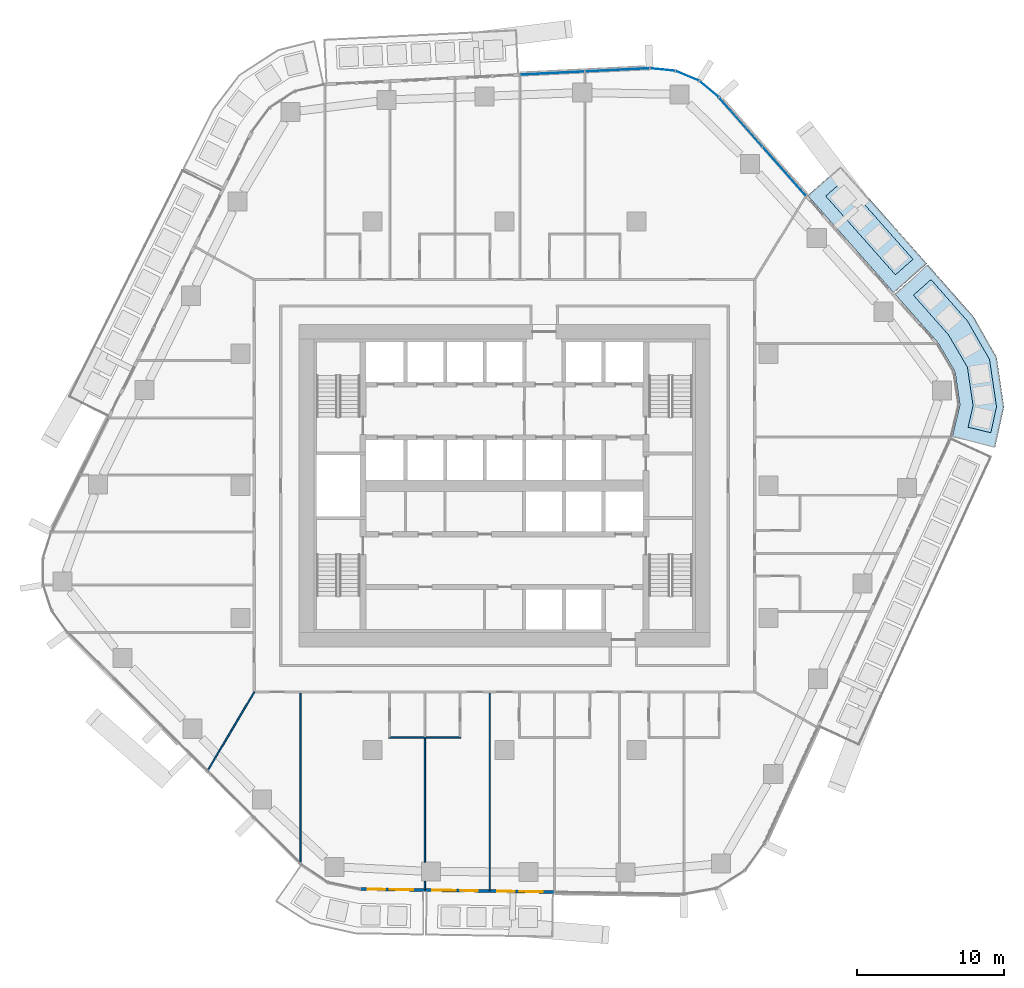
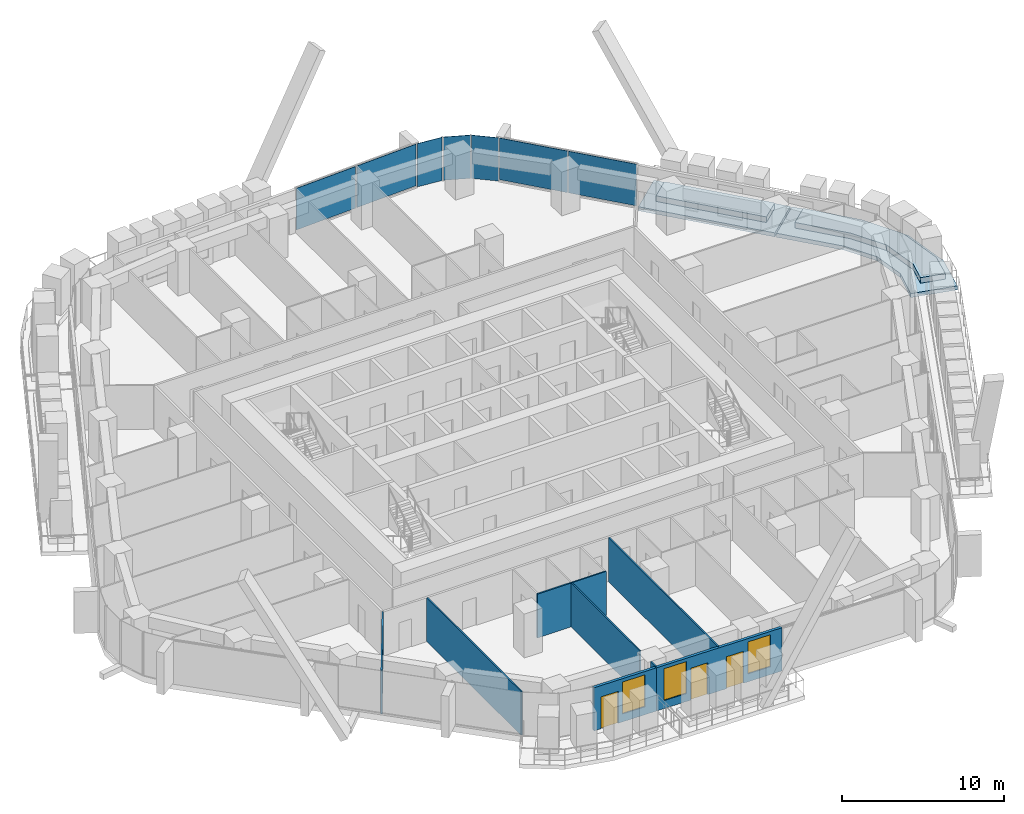
# One storey, part 11 of 25: 8 walls, 7 plates, 4 slabs, 3 doors, 3 windows, 6 openings, 3 elements without a shape of their own.
"""IFC4 building model written with IfcOpenShell, lengths in metres."""

from ifc_helpers import new_model, si_unit, direction, frame, frame_2d, origin, origin_2d, place, context, subcontext, project, spatial, polyline, rectangle, outline, extrude, material, layer, layer_set, type_object, element, fill, aggregate, save


model = new_model("IFC4")

# Units and contexts
model_context = context("Model", 3, precision=1e-05, world=origin(), true_north=direction((0.0, 1.0)))
body_context = subcontext(model_context, "Body", "Model", "MODEL_VIEW")
ifc_project = project(units=[si_unit("LENGTHUNIT", "METRE"), si_unit("AREAUNIT", "SQUARE_METRE"), si_unit("VOLUMEUNIT", "CUBIC_METRE"), si_unit("PLANEANGLEUNIT", "RADIAN"), si_unit("MASSUNIT", "GRAM", prefix="KILO")], contexts=[model_context])

# Site, building, storey
site_placement = place(None, origin())
site = spatial("IfcSite", under=ifc_project, at=site_placement, CompositionType="ELEMENT")
building_placement = place(site_placement, origin())
building = spatial("IfcBuilding", under=site, at=building_placement, Name="Dongbaek Canopy Tower", CompositionType="ELEMENT")
storey_placement = place(building_placement, frame((0.0, 0.0, 102.60009765625)))
storey = spatial("IfcBuildingStorey", under=building, at=storey_placement, Name="L21", CompositionType="ELEMENT", Elevation=102.60009765625)

# Slabs
ifc_material_1 = material(Name="Concrete C40/50", Category="concrete")
ifc_layer_1 = layer(ifc_material_1, 0.300048828125)
ifc_layer_set_1 = layer_set([ifc_layer_1], Name="Balcony slab 300")
slab_type_1 = type_object("IfcSlabType", Name="Balcony slab 300", PredefinedType="FLOOR", material=ifc_layer_set_1)
slab_1_placement = place(storey_placement, frame((0.0, 0.0, -0.300048828125)))
element("IfcSlab", 1, at=slab_1_placement, inside=storey, type_object=slab_type_1, Name="Balcony L21 1", PredefinedType="FLOOR", context=body_context, shape_type="SweptSolid", body=[
    extrude(outline(polyline([(26.536865234375, 13.150146484375), (20.661376953125, 19.787109375), (22.907470703125, 21.775634765625), (28.783203125, 15.138671875), (26.536865234375, 13.150146484375)])), origin(), (0.0, 0.0, 1.0), 0.300048828125),
])
slab_2_placement = place(storey_placement, frame((0.0, 0.0, -0.300048828125)))
element("IfcSlab", 2, at=slab_2_placement, inside=storey, type_object=slab_type_1, Name="Balcony L21 6", PredefinedType="FLOOR", context=body_context, shape_type="SweptSolid", body=[
    extrude(outline(polyline([(30.51318359375, 3.32568359375), (31.042236328125, 5.508056640625), (30.70556640625, 7.77880859375), (29.541015625, 9.7568359375), (26.603271484375, 13.075439453125), (28.849365234375, 15.06396484375), (31.9677734375, 11.5205078125), (33.5341796875, 8.7783203125), (34.039306640625, 5.3720703125), (33.428955078125, 2.618896484375), (30.51318359375, 3.32568359375)])), origin(), (0.0, 0.0, 1.0), 0.300048828125),
])

# Curtain wall, plates
ifc_material_2 = material(Name="Aluminium 6063-T6 pale anodised", Category="aluminium")
ifc_layer_2 = layer(ifc_material_2, 0.199951171875)
ifc_layer_set_2 = layer_set([ifc_layer_2], Name="CW-1 unitised tower curtain wall")
curtain_wall_type = type_object("IfcCurtainWallType", Name="CW-1 unitised tower curtain wall", PredefinedType="NOTDEFINED", material=ifc_layer_set_2)
curtain_wall_1_placement = place(storey_placement, origin())
curtain_wall_1 = element("IfcCurtainWall", 3, at=curtain_wall_1_placement, inside=storey, type_object=curtain_wall_type, Name="CW-1 curtain wall F0.1", PredefinedType="NOTDEFINED")
ifc_material_3 = material(Name="Clear laminated glass", Category="glass")
ifc_layer_3 = layer(ifc_material_3, 0.028076171875)
ifc_layer_set_3 = layer_set([ifc_layer_3], Name="CW-1 glazed panel 28")
plate_type = type_object("IfcPlateType", Name="CW-1 glazed panel 28", PredefinedType="CURTAIN_PANEL", material=ifc_layer_set_3)
plate_1_placement = place(storey_placement, frame((19.06787109375, 21.436279296875, 0.119873046875), z_axis=(0.0, 0.0, 1.0), x_axis=(-0.662853899547, 0.748748761505, 0.0)))
plate_1 = element("IfcPlate", 4, at=plate_1_placement, type_object=plate_type, Name="CW-1 panel F0.1.1.1", PredefinedType="CURTAIN_PANEL", context=body_context, shape_type="SweptSolid", body=[
    extrude(rectangle(XDim=4.39794921875, YDim=0.028076171875, at=origin_2d()), origin(), (0.0, 0.0, 1.0), 3.1298828125),
])
plate_2_placement = place(storey_placement, frame((16.099365234375, 24.789306640625, 0.119873046875), z_axis=(0.0, 0.0, 1.0), x_axis=(-0.662853899547, 0.748748761505, 0.0)))
plate_2 = element("IfcPlate", 5, at=plate_2_placement, type_object=plate_type, Name="CW-1 panel F0.1.2.1", PredefinedType="CURTAIN_PANEL", context=body_context, shape_type="SweptSolid", body=[
    extrude(rectangle(XDim=4.390625, YDim=0.028076171875, at=origin_2d()), origin(), (0.0, 0.0, 1.0), 3.1298828125),
])
aggregate(curtain_wall_1, [plate_1, plate_2])

curtain_wall_2_placement = place(storey_placement, origin())
curtain_wall_2 = element("IfcCurtainWall", 6, at=curtain_wall_2_placement, inside=storey, type_object=curtain_wall_type, Name="CW-1 curtain wall K1.1", PredefinedType="NOTDEFINED")
plate_3_placement = place(storey_placement, frame((13.940673828125, 27.030029296875, 0.0), z_axis=(0.0, 0.0, 1.0), x_axis=(-0.76684589124, 0.641831269952, 0.0)))
plate_3 = element("IfcPlate", 7, at=plate_3_placement, type_object=plate_type, Name="CW-1 panel K1.1.1.1", PredefinedType="CURTAIN_PANEL", context=body_context, shape_type="SweptSolid", body=[
    extrude(rectangle(XDim=1.67822265625, YDim=0.028076171875, at=origin_2d()), origin(), (0.0, 0.0, 1.0), 3.25),
])
plate_4_placement = place(storey_placement, frame((12.456298828125, 27.935791015625, 0.0), z_axis=(0.0, 0.0, 1.0), x_axis=(-0.9217189561, 0.38785843547, 0.0)))
plate_4 = element("IfcPlate", 8, at=plate_4_placement, type_object=plate_type, Name="CW-1 panel K1.1.2.1", PredefinedType="CURTAIN_PANEL", context=body_context, shape_type="SweptSolid", body=[
    extrude(rectangle(XDim=1.670654296875, YDim=0.028076171875, at=origin_2d()), origin(), (0.0, 0.0, 1.0), 3.25),
])
plate_5_placement = place(storey_placement, frame((10.77099609375, 28.36376953125, 0.0), z_axis=(0.0, 0.0, 1.0), x_axis=(-0.995031076678, 0.099564835385, 0.0)))
plate_5 = element("IfcPlate", 9, at=plate_5_placement, type_object=plate_type, Name="CW-1 panel K1.1.3.1", PredefinedType="CURTAIN_PANEL", context=body_context, shape_type="SweptSolid", body=[
    extrude(rectangle(XDim=1.67822265625, YDim=0.028076171875, at=origin_2d()), origin(), (0.0, 0.0, 1.0), 3.25),
])
aggregate(curtain_wall_2, [plate_3, plate_4, plate_5])

curtain_wall_3_placement = place(storey_placement, origin())
curtain_wall_3 = element("IfcCurtainWall", 10, at=curtain_wall_3_placement, inside=storey, type_object=curtain_wall_type, Name="CW-1 curtain wall F1.1", PredefinedType="NOTDEFINED")
plate_6_placement = place(storey_placement, frame((7.68310546875, 28.342041015625, 0.119873046875), z_axis=(0.0, 0.0, 1.0), x_axis=(-0.998772234165, -0.049538109177, 0.0)))
plate_6 = element("IfcPlate", 11, at=plate_6_placement, type_object=plate_type, Name="CW-1 panel F1.1.1.1", PredefinedType="CURTAIN_PANEL", context=body_context, shape_type="SweptSolid", body=[
    extrude(rectangle(XDim=4.34375, YDim=0.028076171875, at=origin_2d()), origin(), (0.0, 0.0, 1.0), 3.1298828125),
])
plate_7_placement = place(storey_placement, frame((3.257080078125, 28.122314453125, 0.119873046875), z_axis=(0.0, 0.0, 1.0), x_axis=(-0.998772234165, -0.049538109177, 0.0)))
plate_7 = element("IfcPlate", 12, at=plate_7_placement, type_object=plate_type, Name="CW-1 panel F1.1.2.1", PredefinedType="CURTAIN_PANEL", context=body_context, shape_type="SweptSolid", body=[
    extrude(rectangle(XDim=4.35107421875, YDim=0.028076171875, at=origin_2d()), origin(), (0.0, 0.0, 1.0), 3.1298828125),
])
aggregate(curtain_wall_3, [plate_6, plate_7])

# Slabs
ifc_material_4 = material(Name="Reinforced concrete C40/50 planter box with soil", Category="concrete")
ifc_layer_4 = layer(ifc_material_4, 0.419921875)
ifc_layer_set_4 = layer_set([ifc_layer_4], Name="Terrace planter box 1600 x 420")
slab_type_2 = type_object("IfcSlabType", Name="Terrace planter box 1600 x 420", PredefinedType="USERDEFINED", material=ifc_layer_set_4)
slab_3_placement = place(storey_placement, origin())
element("IfcSlab", 13, at=slab_3_placement, inside=storey, type_object=slab_type_2, Name="Balcony planter L21 1", ObjectType="PLANTER", PredefinedType="USERDEFINED", context=body_context, shape_type="SweptSolid", body=[
    extrude(outline(polyline([(26.639892578125, 14.376708984375), (21.89111328125, 19.74072265625), (23.089111328125, 20.80126953125), (27.837890625, 15.437255859375), (26.639892578125, 14.376708984375)])), origin(), (0.0, 0.0, 1.0), 0.419921875),
])
slab_4_placement = place(storey_placement, origin())
element("IfcSlab", 14, at=slab_4_placement, inside=storey, type_object=slab_type_2, Name="Balcony planter L21 6", ObjectType="PLANTER", PredefinedType="USERDEFINED", context=body_context, shape_type="SweptSolid", body=[
    extrude(outline(polyline([(31.59033203125, 3.99072265625), (31.931396484375, 5.4677734375), (31.544677734375, 8.0751953125), (30.260986328125, 10.280029296875), (27.8662109375, 12.991455078125), (29.064208984375, 14.052001953125), (31.55517578125, 11.220703125), (33.053466796875, 8.6083984375), (33.52978515625, 5.395263671875), (33.145263671875, 3.61376953125), (31.59033203125, 3.99072265625)])), origin(), (0.0, 0.0, 1.0), 0.419921875),
])

# Walls
ifc_material_5 = material(Name="Gypsum board partition, steel stud, 2 x 12.5 mm board", Category="steel")
ifc_layer_5 = layer(ifc_material_5, 0.10009765625)
ifc_layer_set_5 = layer_set([ifc_layer_5], Name="Partition 100 gypsum board")
wall_type_1 = type_object("IfcWallType", Name="Partition 100 gypsum board", PredefinedType="PARTITIONING", material=ifc_layer_set_5)
wall_1_placement = place(storey_placement, frame((-7.873779296875, -17.14990234375, 0.0), z_axis=(0.0, 0.0, 1.0), x_axis=(1.0, 0.0, 0.0)))
element("IfcWall", 15, at=wall_1_placement, inside=storey, type_object=wall_type_1, Name="Partition", PredefinedType="PARTITIONING", context=body_context, shape_type="SweptSolid", body=[
    extrude(rectangle(XDim=4.900146484375, YDim=0.10009765625, at=frame_2d((2.4501953125, 0.0))), origin(), (0.0, 0.0, 1.0), 3.2998046875),
])
wall_2_placement = place(storey_placement, frame((-20.24609375, -19.436279296875, 0.0), z_axis=(0.0, 0.0, 1.0), x_axis=(0.510253226363, 0.86002421186, 0.0)))
element("IfcWall", 16, at=wall_2_placement, inside=storey, type_object=wall_type_1, Name="Partition", PredefinedType="PARTITIONING", context=body_context, shape_type="SweptSolid", body=[
    extrude(rectangle(XDim=6.26318359375, YDim=0.10009765625, at=frame_2d((3.131591796875, 0.0))), origin(), (0.0, 0.0, 1.0), 3.2998046875),
])
wall_3_placement = place(storey_placement, frame((-1.007080078125, -27.596923828125, 0.0), z_axis=(0.0, 0.0, 1.0), x_axis=(0.0, 1.0, 0.0)))
element("IfcWall", 17, at=wall_3_placement, inside=storey, type_object=wall_type_1, Name="Partition", PredefinedType="PARTITIONING", context=body_context, shape_type="SweptSolid", body=[
    extrude(rectangle(XDim=13.471923828125, YDim=0.10009765625, at=frame_2d((6.73583984375, 0.0))), origin(), (0.0, 0.0, 1.0), 3.2998046875),
])
wall_4_placement = place(storey_placement, frame((-5.424072265625, -27.52880859375, 0.0), z_axis=(0.0, 0.0, 1.0), x_axis=(0.0, 1.0, 0.0)))
element("IfcWall", 18, at=wall_4_placement, inside=storey, type_object=wall_type_1, Name="Partition", PredefinedType="PARTITIONING", context=body_context, shape_type="SweptSolid", body=[
    extrude(rectangle(XDim=0.5888671875, YDim=0.10009765625, at=frame_2d((0.29443359375, 0.0))), origin(), (0.0, 0.0, 1.0), 3.2998046875),
])
wall_5_placement = place(storey_placement, frame((-5.424072265625, -25.639892578125, 0.0), z_axis=(0.0, 0.0, 1.0), x_axis=(0.0, 1.0, 0.0)))
element("IfcWall", 19, at=wall_5_placement, inside=storey, type_object=wall_type_1, Name="Partition", PredefinedType="PARTITIONING", context=body_context, shape_type="SweptSolid", body=[
    extrude(rectangle(XDim=8.43994140625, YDim=0.10009765625, at=frame_2d((4.219970703125, 0.0))), origin(), (0.0, 0.0, 1.0), 3.2998046875),
])
wall_6_placement = place(storey_placement, frame((-13.916015625, -25.72998046875, 0.0), z_axis=(0.0, 0.0, 1.0), x_axis=(0.0, 1.0, 0.0)))
element("IfcWall", 20, at=wall_6_placement, inside=storey, type_object=wall_type_1, Name="Partition", PredefinedType="PARTITIONING", context=body_context, shape_type="SweptSolid", body=[
    extrude(rectangle(XDim=11.60498046875, YDim=0.10009765625, at=frame_2d((5.802490234375, 0.0))), origin(), (0.0, 0.0, 1.0), 3.2998046875),
])

# Wall, openings, doors, windows
ifc_material_6 = material(Name="Aluminium window wall", Category="aluminium")
ifc_layer_6 = layer(ifc_material_6, 0.199951171875)
ifc_layer_set_6 = layer_set([ifc_layer_6], Name="Window wall 200")
wall_type_2 = type_object("IfcWallType", Name="Window wall 200", PredefinedType="SOLIDWALL", material=ifc_layer_set_6)
wall_7_placement = place(storey_placement, frame((-5.423583984375, -27.548828125, 0.0), z_axis=(0.0, 0.0, 1.0), x_axis=(0.999881101657, -0.015420199401, 0.0)))
wall_7 = element("IfcWall", 21, at=wall_7_placement, inside=storey, type_object=wall_type_2, Name="Window wall L21 4", PredefinedType="SOLIDWALL", context=body_context, shape_type="SweptSolid", body=[
    extrude(rectangle(XDim=8.83447265625, YDim=0.199951171875, at=frame_2d((4.417236328125, 0.0))), origin(), (0.0, 0.0, 1.0), 3.25),
])
opening_1_placement = place(wall_7_placement, frame((0.5, 0.0, 0.60009765625)))
opening_1 = element("IfcOpeningElement", 22, at=opening_1_placement, cuts=wall_7, Name="Opening W1", PredefinedType="OPENING", context=body_context, shape_type="SweptSolid", body=[
    extrude(rectangle(XDim=1.60009765625, YDim=2.39990234375, at=frame_2d((0.800048828125, 1.199951171875))), frame((0.0, 0.10986328125, 0.0), z_axis=(0.0, -1.0, 0.0), x_axis=(1.0, 0.0, 0.0)), (0.0, 0.0, 1.0), 0.219970703125),
])
opening_2_placement = place(wall_7_placement, frame((2.39990234375, 0.0, 0.0)))
opening_2 = element("IfcOpeningElement", 23, at=opening_2_placement, cuts=wall_7, Name="Opening L21-B12", PredefinedType="OPENING", context=body_context, shape_type="SweptSolid", body=[
    extrude(rectangle(XDim=1.199951171875, YDim=2.39990234375, at=frame_2d((0.60009765625, 1.199951171875))), frame((0.0, 0.10986328125, 0.0), z_axis=(0.0, -1.0, 0.0), x_axis=(1.0, 0.0, 0.0)), (0.0, 0.0, 1.0), 0.219970703125),
])
opening_3_placement = place(wall_7_placement, frame((6.417236328125, 0.0, 0.60009765625)))
opening_3 = element("IfcOpeningElement", 24, at=opening_3_placement, cuts=wall_7, Name="Opening W1", PredefinedType="OPENING", context=body_context, shape_type="SweptSolid", body=[
    extrude(rectangle(XDim=1.60009765625, YDim=2.39990234375, at=frame_2d((0.800048828125, 1.199951171875))), frame((0.0, 0.10986328125, 0.0), z_axis=(0.0, -1.0, 0.0), x_axis=(1.0, 0.0, 0.0)), (0.0, 0.0, 1.0), 0.219970703125),
])
opening_4_placement = place(wall_7_placement, frame((4.917236328125, 0.0, 0.0)))
opening_4 = element("IfcOpeningElement", 25, at=opening_4_placement, cuts=wall_7, Name="Opening L21-B13", PredefinedType="OPENING", context=body_context, shape_type="SweptSolid", body=[
    extrude(rectangle(XDim=1.199951171875, YDim=2.39990234375, at=frame_2d((0.60009765625, 1.199951171875))), frame((0.0, 0.10986328125, 0.0), z_axis=(0.0, -1.0, 0.0), x_axis=(1.0, 0.0, 0.0)), (0.0, 0.0, 1.0), 0.219970703125),
])
ifc_material_7 = material(Name="Clear glazing in aluminium frame", Category="aluminium")
door_type = type_object("IfcDoorType", Name="Balcony door BD1 1200 x 2400", OperationType="SLIDING_TO_LEFT", PredefinedType="DOOR", material=ifc_material_7)
door_1_placement = place(opening_2_placement, origin())
door_1 = element("IfcDoor", 26, at=door_1_placement, inside=storey, type_object=door_type, Name="Balcony door L21-B12", OperationType="SLIDING_TO_LEFT", OverallHeight=2.39990234375, OverallWidth=1.199951171875, PredefinedType="DOOR", context=body_context, shape_type="SweptSolid", body=[
    extrude(rectangle(XDim=1.199951171875, YDim=2.39990234375, at=frame_2d((0.60009765625, 1.199951171875))), frame((0.0, 0.02490234375, 0.0), z_axis=(0.0, -1.0, 0.0), x_axis=(1.0, 0.0, 0.0)), (0.0, 0.0, 1.0), 0.050048828125),
])
fill(opening_2, door_1)
door_2_placement = place(opening_4_placement, origin())
door_2 = element("IfcDoor", 27, at=door_2_placement, inside=storey, type_object=door_type, Name="Balcony door L21-B13", OperationType="SLIDING_TO_LEFT", OverallHeight=2.39990234375, OverallWidth=1.199951171875, PredefinedType="DOOR", context=body_context, shape_type="SweptSolid", body=[
    extrude(rectangle(XDim=1.199951171875, YDim=2.39990234375, at=frame_2d((0.60009765625, 1.199951171875))), frame((0.0, 0.02490234375, 0.0), z_axis=(0.0, -1.0, 0.0), x_axis=(1.0, 0.0, 0.0)), (0.0, 0.0, 1.0), 0.050048828125),
])
fill(opening_4, door_2)
ifc_material_8 = material(Name="Clear glazing in aluminium frame", Category="aluminium")
window_type = type_object("IfcWindowType", Name="Window W1 1600 x 2400", PartitioningType="SINGLE_PANEL", PredefinedType="WINDOW", material=ifc_material_8)
window_1_placement = place(opening_1_placement, origin())
window_1 = element("IfcWindow", 28, at=window_1_placement, inside=storey, type_object=window_type, Name="Window L21 4.1", OverallHeight=2.39990234375, OverallWidth=1.60009765625, PartitioningType="SINGLE_PANEL", PredefinedType="WINDOW", context=body_context, shape_type="SweptSolid", body=[
    extrude(rectangle(XDim=1.60009765625, YDim=2.39990234375, at=frame_2d((0.800048828125, 1.199951171875))), frame((0.0, 0.030029296875, 0.0), z_axis=(0.0, -1.0, 0.0), x_axis=(1.0, 0.0, 0.0)), (0.0, 0.0, 1.0), 0.06005859375),
])
fill(opening_1, window_1)
window_2_placement = place(opening_3_placement, origin())
window_2 = element("IfcWindow", 29, at=window_2_placement, inside=storey, type_object=window_type, Name="Window L21 4.2", OverallHeight=2.39990234375, OverallWidth=1.60009765625, PartitioningType="SINGLE_PANEL", PredefinedType="WINDOW", context=body_context, shape_type="SweptSolid", body=[
    extrude(rectangle(XDim=1.60009765625, YDim=2.39990234375, at=frame_2d((0.800048828125, 1.199951171875))), frame((0.0, 0.030029296875, 0.0), z_axis=(0.0, -1.0, 0.0), x_axis=(1.0, 0.0, 0.0)), (0.0, 0.0, 1.0), 0.06005859375),
])
fill(opening_3, window_2)

# Wall, openings, door, window
wall_8_placement = place(storey_placement, frame((-9.830810546875, -27.48095703125, 0.0), z_axis=(0.0, 0.0, 1.0), x_axis=(0.99988144177, -0.015398129892, 0.0)))
wall_8 = element("IfcWall", 30, at=wall_8_placement, inside=storey, type_object=wall_type_2, Name="Window wall L21 8", PredefinedType="SOLIDWALL", context=body_context, shape_type="SweptSolid", body=[
    extrude(rectangle(XDim=4.40771484375, YDim=0.199951171875, at=frame_2d((2.203857421875, 0.0))), origin(), (0.0, 0.0, 1.0), 3.25),
])
opening_5_placement = place(wall_8_placement, frame((2.0, 0.0, 0.60009765625)))
opening_5 = element("IfcOpeningElement", 31, at=opening_5_placement, cuts=wall_8, Name="Opening W1", PredefinedType="OPENING", context=body_context, shape_type="SweptSolid", body=[
    extrude(rectangle(XDim=1.60009765625, YDim=2.39990234375, at=frame_2d((0.800048828125, 1.199951171875))), frame((0.0, 0.10986328125, 0.0), z_axis=(0.0, -1.0, 0.0), x_axis=(1.0, 0.0, 0.0)), (0.0, 0.0, 1.0), 0.219970703125),
])
opening_6_placement = place(wall_8_placement, frame((0.5, 0.0, 0.0)))
opening_6 = element("IfcOpeningElement", 32, at=opening_6_placement, cuts=wall_8, Name="Opening L21-B14", PredefinedType="OPENING", context=body_context, shape_type="SweptSolid", body=[
    extrude(rectangle(XDim=1.199951171875, YDim=2.39990234375, at=frame_2d((0.60009765625, 1.199951171875))), frame((0.0, 0.10986328125, 0.0), z_axis=(0.0, -1.0, 0.0), x_axis=(1.0, 0.0, 0.0)), (0.0, 0.0, 1.0), 0.219970703125),
])
door_3_placement = place(opening_6_placement, origin())
door_3 = element("IfcDoor", 33, at=door_3_placement, inside=storey, type_object=door_type, Name="Balcony door L21-B14", OperationType="SLIDING_TO_LEFT", OverallHeight=2.39990234375, OverallWidth=1.199951171875, PredefinedType="DOOR", context=body_context, shape_type="SweptSolid", body=[
    extrude(rectangle(XDim=1.199951171875, YDim=2.39990234375, at=frame_2d((0.60009765625, 1.199951171875))), frame((0.0, 0.02490234375, 0.0), z_axis=(0.0, -1.0, 0.0), x_axis=(1.0, 0.0, 0.0)), (0.0, 0.0, 1.0), 0.050048828125),
])
fill(opening_6, door_3)
window_3_placement = place(opening_5_placement, origin())
window_3 = element("IfcWindow", 34, at=window_3_placement, inside=storey, type_object=window_type, Name="Window L21 8.1", OverallHeight=2.39990234375, OverallWidth=1.60009765625, PartitioningType="SINGLE_PANEL", PredefinedType="WINDOW", context=body_context, shape_type="SweptSolid", body=[
    extrude(rectangle(XDim=1.60009765625, YDim=2.39990234375, at=frame_2d((0.800048828125, 1.199951171875))), frame((0.0, 0.030029296875, 0.0), z_axis=(0.0, -1.0, 0.0), x_axis=(1.0, 0.0, 0.0)), (0.0, 0.0, 1.0), 0.06005859375),
])
fill(opening_5, window_3)

save(model, "model.ifc")
